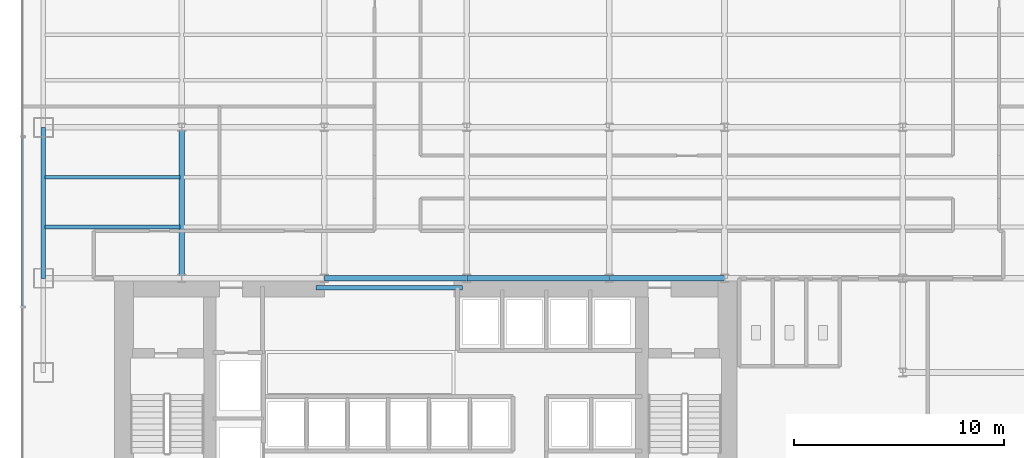
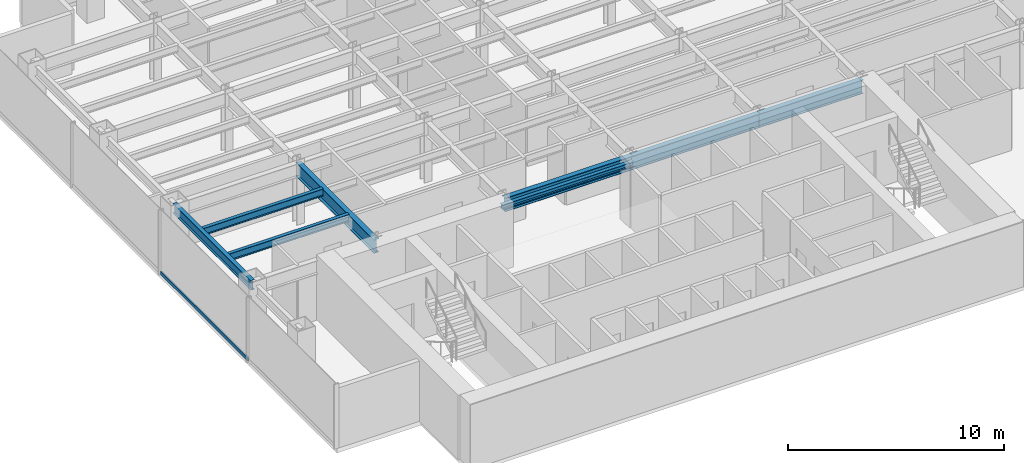
# One storey, part 3 of 22: 8 beams, 1 member, 1 element without a shape of its own.
"""IFC4 building model written with IfcOpenShell, lengths in metres."""

from ifc_helpers import new_model, si_unit, derived_unit, direction, frame, origin, origin_2d, place, context, subcontext, project, spatial, hollow_rectangle, i_section, extrude, source, transform, mapped, material, material_profile, profile_set, type_object, element, aggregate, save


model = new_model("IFC4")

# Units and contexts
model_context = context("Model", 3, precision=1e-05, world=origin(), true_north=direction((0.0, 1.0)))
body_context = subcontext(model_context, "Body", "Model", "MODEL_VIEW")
ifc_project = project(units=[si_unit("LENGTHUNIT", "METRE"), si_unit("AREAUNIT", "SQUARE_METRE"), si_unit("VOLUMEUNIT", "CUBIC_METRE"), si_unit("PLANEANGLEUNIT", "RADIAN"), si_unit("MASSUNIT", "GRAM", prefix="KILO"), derived_unit("THERMALTRANSMITTANCEUNIT", [(si_unit("POWERUNIT", "WATT"), 1), (si_unit("LENGTHUNIT", "METRE"), -2), (si_unit("THERMODYNAMICTEMPERATUREUNIT", "KELVIN"), -1)])], contexts=[model_context])

# Site, building, storey
site_placement = place(None, origin())
site = spatial("IfcSite", under=ifc_project, at=site_placement, CompositionType="ELEMENT")
building_placement = place(site_placement, origin())
building = spatial("IfcBuilding", under=site, at=building_placement, Name="Skarnbrae Concourse Arena and Tower", CompositionType="ELEMENT")
storey_placement = place(building_placement, frame((0.0, 0.0, 76.300048828125)))
storey = spatial("IfcBuildingStorey", under=building, at=storey_placement, Name="L18", CompositionType="ELEMENT", Elevation=76.300048828125)

# Beams
ifc_material_1 = material(Name="Steel CSA G40.21 350W", Category="steel")
ifc_material_profile_1 = material_profile(ifc_material_1, i_section(OverallWidth=0.202880859375, OverallDepth=0.251953125, WebThickness=0.008056640625, FlangeThickness=0.013427734375, at=origin_2d()), Name="W250X58")
ifc_profile_set_1 = profile_set([ifc_material_profile_1], Name="Steel CSA G40.21 350W")
beam_type_1 = type_object("IfcBeamType", Name="BM-LINTEL-W250X58", PredefinedType="LINTEL", material=ifc_profile_set_1)
shared_shape_1 = source(origin(), body_context, "Body", "SweptSolid", [
    extrude(i_section(OverallWidth=0.202880859375, OverallDepth=0.251953125, WebThickness=0.008056640625, FlangeThickness=0.013427734375, at=origin_2d()), origin(), (0.0, 0.0, 1.0), 7.0),
])
beam_1_placement = place(storey_placement, frame((14.0, 13.550048828125, 3.27392578125), z_axis=(1.0, 0.0, 0.0), x_axis=(0.0, 1.0, 0.0)))
element("IfcBeam", 1, at=beam_1_placement, inside=storey, type_object=beam_type_1, Name="L18 Core portal coupling lintel", PredefinedType="LINTEL", context=body_context, shape_type="MappedRepresentation", body=[
    mapped(shared_shape_1, transform((0.0, 0.0, 0.0))),
])
ifc_material_profile_2 = material_profile(ifc_material_1, i_section(OverallWidth=0.26806640625, OverallDepth=0.77001953125, WebThickness=0.015625, FlangeThickness=0.025390625, at=origin_2d()), Name="W760X196")
ifc_profile_set_2 = profile_set([ifc_material_profile_2], Name="Steel CSA G40.21 350W")
beam_type_2 = type_object("IfcBeamType", Name="BM-GIRD-W760X196", PredefinedType="BEAM", material=ifc_profile_set_2)
shared_shape_2 = source(origin(), body_context, "Body", "SweptSolid", [
    extrude(i_section(OverallWidth=0.26806640625, OverallDepth=0.77001953125, WebThickness=0.015625, FlangeThickness=0.025390625, at=origin_2d()), origin(), (0.0, 0.0, 1.0), 6.800048828125),
])
for number, where, z_axis, x_axis, name in (
    (2, (14.39990234375, 14.0, 3.014892578125), (1.0, 0.0, 0.0), (0.0, 1.0, 0.0), "L18 Primary E-W girder Y14.0-3"),
    (3, (21.199951171875, 14.0, 3.014892578125), (1.0, 0.0, 0.0), (0.0, 1.0, 0.0), "L18 Primary E-W girder Y14.0-4"),
):
    element("IfcBeam", number, at=place(storey_placement, frame(where, z_axis=z_axis, x_axis=x_axis)), inside=storey, type_object=beam_type_2, Name=name, PredefinedType="BEAM", context=body_context, shape_type="MappedRepresentation", body=[
        mapped(shared_shape_2, transform((0.0, 0.0, 0.0))),
    ])
shared_shape_3 = source(origin(), body_context, "Body", "SweptSolid", [
    extrude(i_section(OverallWidth=0.26806640625, OverallDepth=0.77001953125, WebThickness=0.015625, FlangeThickness=0.025390625, at=origin_2d()), origin(), (0.0, 0.0, 1.0), 5.5),
])
beam_2_placement = place(storey_placement, frame((28.0, 14.0, 3.014892578125), z_axis=(1.0, 0.0, 0.0), x_axis=(0.0, 1.0, 0.0)))
element("IfcBeam", 4, at=beam_2_placement, inside=storey, type_object=beam_type_2, Name="L18 Primary E-W girder Y14.0-5", PredefinedType="BEAM", context=body_context, shape_type="MappedRepresentation", body=[
    mapped(shared_shape_3, transform((0.0, 0.0, 0.0))),
])
ifc_material_profile_3 = material_profile(ifc_material_1, i_section(OverallWidth=0.214111328125, OverallDepth=0.549072265625, WebThickness=0.0146484375, FlangeThickness=0.023681640625, at=origin_2d()), Name="W530X138")
ifc_profile_set_3 = profile_set([ifc_material_profile_3], Name="Steel CSA G40.21 350W")
beam_type_3 = type_object("IfcBeamType", Name="BM-SPAN-W530X138", PredefinedType="SPANDREL", material=ifc_profile_set_3)
shared_shape_4 = source(origin(), body_context, "Body", "SweptSolid", [
    extrude(i_section(OverallWidth=0.214111328125, OverallDepth=0.549072265625, WebThickness=0.0146484375, FlangeThickness=0.023681640625, at=origin_2d()), origin(), (0.0, 0.0, 1.0), 7.199951171875),
])
beam_3_placement = place(storey_placement, frame((1.0, 14.0, 3.12548828125), z_axis=(0.0, 1.0, 0.0), x_axis=(-1.0, 0.0, 0.0)))
element("IfcBeam", 5, at=beam_3_placement, inside=storey, type_object=beam_type_3, Name="L18 Perimeter spandrel X1.0-2", PredefinedType="SPANDREL", context=body_context, shape_type="MappedRepresentation", body=[
    mapped(shared_shape_4, transform((0.0, 0.0, 0.0))),
])
shared_shape_5 = source(origin(), body_context, "Body", "SweptSolid", [
    extrude(i_section(OverallWidth=0.26806640625, OverallDepth=0.77001953125, WebThickness=0.015625, FlangeThickness=0.025390625, at=origin_2d()), origin(), (0.0, 0.0, 1.0), 7.199951171875),
])
beam_4_placement = place(storey_placement, frame((7.60009765625, 14.0, 3.014892578125), z_axis=(0.0, 1.0, 0.0), x_axis=(-1.0, 0.0, 0.0)))
element("IfcBeam", 6, at=beam_4_placement, inside=storey, type_object=beam_type_2, Name="L18 Primary N-S girder X7.6-1", PredefinedType="BEAM", context=body_context, shape_type="MappedRepresentation", body=[
    mapped(shared_shape_5, transform((0.0, 0.0, 0.0))),
])
ifc_material_profile_4 = material_profile(ifc_material_1, i_section(OverallWidth=0.180908203125, OverallDepth=0.4169921875, WebThickness=0.010986328125, FlangeThickness=0.018310546875, at=origin_2d()), Name="W410X85")
ifc_profile_set_4 = profile_set([ifc_material_profile_4], Name="Steel CSA G40.21 350W")
beam_type_4 = type_object("IfcBeamType", Name="BM-JOIST-W410X85", PredefinedType="JOIST", material=ifc_profile_set_4)
shared_shape_6 = source(origin(), body_context, "Body", "SweptSolid", [
    extrude(i_section(OverallWidth=0.180908203125, OverallDepth=0.4169921875, WebThickness=0.010986328125, FlangeThickness=0.018310546875, at=origin_2d()), origin(), (0.0, 0.0, 1.0), 6.43994140625),
])
for number, where, z_axis, x_axis, name in (
    (7, (1.080078125, 16.447998046875, 3.19140625), (1.0, 0.0, 0.0), (0.0, 1.0, 0.0), "L18 Secondary floor joist 1.1.1"),
    (8, (1.080078125, 18.823974609375, 3.19140625), (1.0, 0.0, 0.0), (0.0, 1.0, 0.0), "L18 Secondary floor joist 1.2.1"),
):
    element("IfcBeam", number, at=place(storey_placement, frame(where, z_axis=z_axis, x_axis=x_axis)), inside=storey, type_object=beam_type_4, Name=name, PredefinedType="JOIST", context=body_context, shape_type="MappedRepresentation", body=[
        mapped(shared_shape_6, transform((0.0, 0.0, 0.0))),
    ])

# Curtain wall, member
ifc_material_2 = material(Name="Bronze anodised aluminium 6063-T6", Category="aluminium")
curtain_wall_type = type_object("IfcCurtainWallType", Name="CW-SYS-02-LOWZONE", PredefinedType="USERDEFINED", material=ifc_material_2)
curtain_wall_placement = place(storey_placement, origin())
curtain_wall = element("IfcCurtainWall", 9, at=curtain_wall_placement, inside=storey, type_object=curtain_wall_type, Name="L18 Unitised curtain wall CW-L18-E19", ObjectType="UNITISED CURTAIN WALL", PredefinedType="USERDEFINED")
ifc_material_profile_5 = material_profile(ifc_material_2, hollow_rectangle(XDim=0.080078125, YDim=0.18994140625, WallThickness=0.0048828125, at=origin_2d()), Name="ALU-TRAN-80X190")
ifc_profile_set_5 = profile_set([ifc_material_profile_5], Name="Bronze anodised aluminium 6063-T6")
member_type = type_object("IfcMemberType", Name="CWT-CW-02", PredefinedType="USERDEFINED", material=ifc_profile_set_5)
shared_shape_7 = source(origin(), body_context, "Body", "SweptSolid", [
    extrude(hollow_rectangle(XDim=0.080078125, YDim=0.18994140625, WallThickness=0.0048828125, at=origin_2d()), origin(), (0.0, 0.0, 1.0), 8.044921875),
])
member_placement = place(storey_placement, frame((0.0, 20.7099609375, 0.094970703125), z_axis=(0.0, -1.0, 0.0), x_axis=(1.0, 0.0, 0.0)))
member = element("IfcMember", 10, at=member_placement, type_object=member_type, Name="CW-L18-E19 Transom 3", ObjectType="TRANSOM", PredefinedType="USERDEFINED", context=body_context, shape_type="MappedRepresentation", body=[
    mapped(shared_shape_7, transform((0.0, 0.0, 0.0))),
])
aggregate(curtain_wall, [member])

save(model, "model.ifc")
